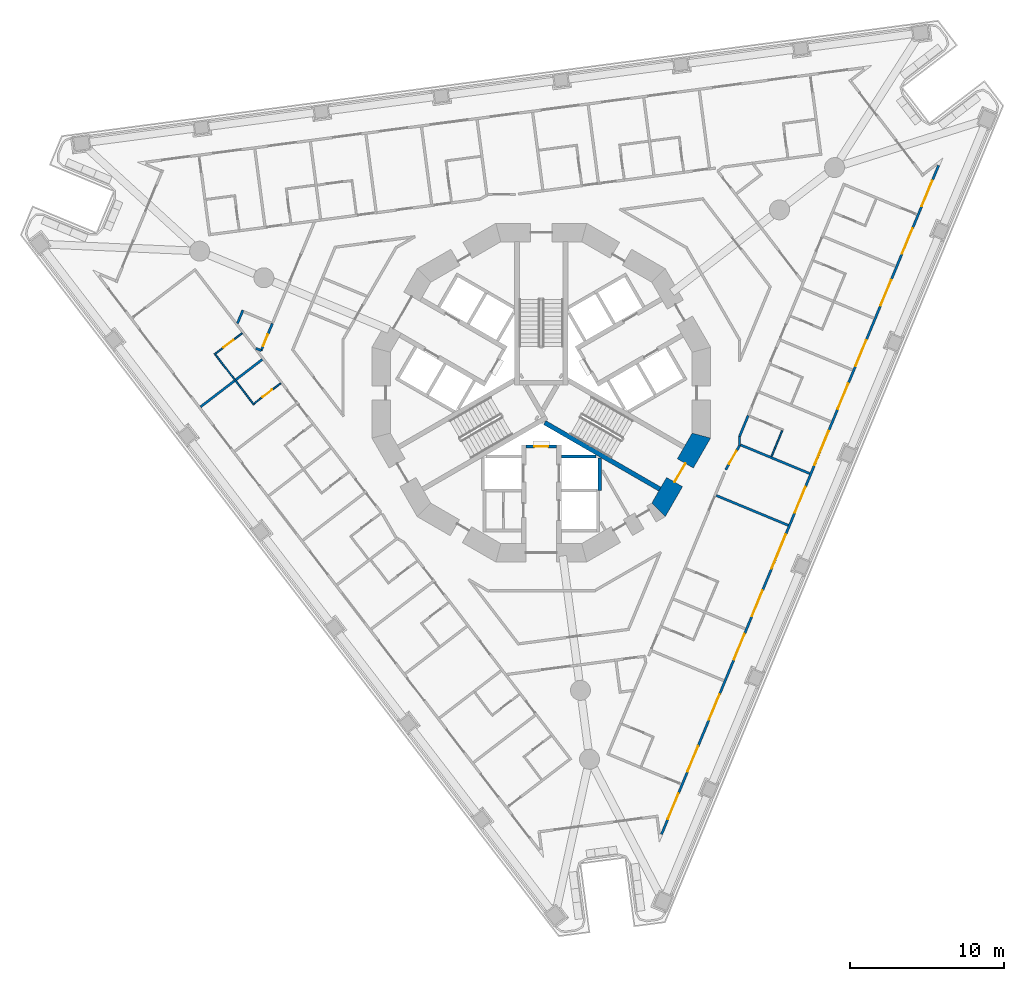
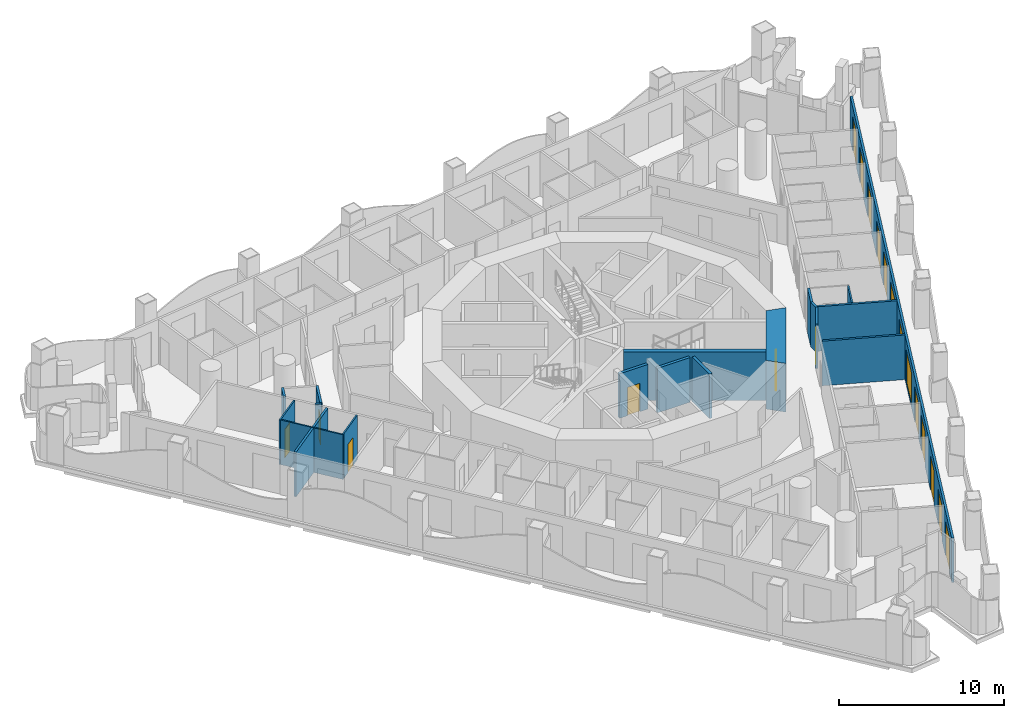
# One storey, part 5 of 19: 20 walls, 17 doors, 2 windows, 19 openings.
"""IFC4 building model written with IfcOpenShell, lengths in metres."""

from ifc_helpers import new_model, si_unit, direction, frame, frame_2d, origin, place, context, subcontext, project, spatial, polyline, rectangle, outline, extrude, material, layer, layer_set, type_object, element, fill, save


model = new_model("IFC4")

# Units and contexts
model_context = context("Model", 3, precision=1e-05, world=origin(), true_north=direction((0.0, 1.0)))
body_context = subcontext(model_context, "Body", "Model", "MODEL_VIEW")
ifc_project = project(units=[si_unit("LENGTHUNIT", "METRE"), si_unit("AREAUNIT", "SQUARE_METRE"), si_unit("VOLUMEUNIT", "CUBIC_METRE"), si_unit("PLANEANGLEUNIT", "RADIAN"), si_unit("MASSUNIT", "GRAM", prefix="KILO")], contexts=[model_context])

# Site, building, storey
site_placement = place(None, origin())
site = spatial("IfcSite", under=ifc_project, at=site_placement, CompositionType="ELEMENT")
building_placement = place(site_placement, origin())
building = spatial("IfcBuilding", under=site, at=building_placement, Name="Trine Commons Tower", CompositionType="ELEMENT")
storey_placement = place(building_placement, frame((0.0, 0.0, 57.60009765625)))
storey = spatial("IfcBuildingStorey", under=building, at=storey_placement, Name="L13", CompositionType="ELEMENT", Elevation=57.60009765625)

# Wall, openings, windows, doors
ifc_material_1 = material(Name="Aluminium-framed insulated wall panel", Category="aluminium")
ifc_layer_1 = layer(ifc_material_1, 0.14990234375)
ifc_layer_set_1 = layer_set([ifc_layer_1], Name="Aluminium-framed insulated wall panel")
wall_type_1 = type_object("IfcWallType", Name="Glazed frame wall 150, EI 60", PredefinedType="SOLIDWALL", material=ifc_layer_set_1)
wall_1_placement = place(storey_placement, frame((105.888671875, 77.410888671875, 0.0), z_axis=(0.0, 0.0, 1.0), x_axis=(-0.38268395344, -0.923879316675, 0.0)))
wall_1 = element("IfcWall", 1, at=wall_1_placement, inside=storey, type_object=wall_type_1, Name="Glazed frame wall F2", PredefinedType="SOLIDWALL", context=body_context, shape_type="SweptSolid", body=[
    extrude(outline(polyline([(0.1494140625, 0.074951171875), (0.1494140625, -0.074951171875), (47.216796875, -0.074951171875), (47.216796875, 0.074951171875), (0.1494140625, 0.074951171875)])), origin(), (0.0, 0.0, 1.0), 3.2998046875),
])
opening_1_placement = place(wall_1_placement, frame((1.2216796875, 0.0, 0.0)))
opening_1 = element("IfcOpeningElement", 2, at=opening_1_placement, cuts=wall_1, Name="Opening BD-2F2-01", PredefinedType="OPENING", context=body_context, shape_type="SweptSolid", body=[
    extrude(rectangle(XDim=1.800048828125, YDim=2.60009765625, at=frame_2d((0.89990234375, 1.300048828125))), frame((0.0, 0.0849609375, 0.0), z_axis=(0.0, -1.0, 0.0), x_axis=(1.0, 0.0, 0.0)), (0.0, 0.0, 1.0), 0.169921875),
])
opening_2_placement = place(wall_1_placement, frame((4.5654296875, 0.0, 0.0)))
opening_2 = element("IfcOpeningElement", 3, at=opening_2_placement, cuts=wall_1, Name="Opening BD-2F2-02", PredefinedType="OPENING", context=body_context, shape_type="SweptSolid", body=[
    extrude(rectangle(XDim=1.800048828125, YDim=2.60009765625, at=frame_2d((0.89990234375, 1.300048828125))), frame((0.0, 0.0849609375, 0.0), z_axis=(0.0, -1.0, 0.0), x_axis=(1.0, 0.0, 0.0)), (0.0, 0.0, 1.0), 0.169921875),
])
opening_3_placement = place(wall_1_placement, frame((8.208984375, 0.0, 0.0)))
opening_3 = element("IfcOpeningElement", 4, at=opening_3_placement, cuts=wall_1, Name="Opening BD-2F2-03", PredefinedType="OPENING", context=body_context, shape_type="SweptSolid", body=[
    extrude(rectangle(XDim=1.800048828125, YDim=2.60009765625, at=frame_2d((0.89990234375, 1.300048828125))), frame((0.0, 0.0849609375, 0.0), z_axis=(0.0, -1.0, 0.0), x_axis=(1.0, 0.0, 0.0)), (0.0, 0.0, 1.0), 0.169921875),
])
opening_4_placement = place(wall_1_placement, frame((12.45263671875, 0.0, 0.0)))
opening_4 = element("IfcOpeningElement", 5, at=opening_4_placement, cuts=wall_1, Name="Opening BD-2F2-04", PredefinedType="OPENING", context=body_context, shape_type="SweptSolid", body=[
    extrude(rectangle(XDim=1.800048828125, YDim=2.60009765625, at=frame_2d((0.89990234375, 1.300048828125))), frame((0.0, 0.0849609375, 0.0), z_axis=(0.0, -1.0, 0.0), x_axis=(1.0, 0.0, 0.0)), (0.0, 0.0, 1.0), 0.169921875),
])
opening_5_placement = place(wall_1_placement, frame((15.49609375, 0.0, 0.0)))
opening_5 = element("IfcOpeningElement", 6, at=opening_5_placement, cuts=wall_1, Name="Opening BD-2F2-05", PredefinedType="OPENING", context=body_context, shape_type="SweptSolid", body=[
    extrude(rectangle(XDim=1.800048828125, YDim=2.60009765625, at=frame_2d((0.89990234375, 1.300048828125))), frame((0.0, 0.0849609375, 0.0), z_axis=(0.0, -1.0, 0.0), x_axis=(1.0, 0.0, 0.0)), (0.0, 0.0, 1.0), 0.169921875),
])
opening_6_placement = place(wall_1_placement, frame((18.83984375, 0.0, 0.14990234375)))
opening_6 = element("IfcOpeningElement", 7, at=opening_6_placement, cuts=wall_1, Name="Opening W-2F2-06", PredefinedType="OPENING", context=body_context, shape_type="SweptSolid", body=[
    extrude(rectangle(XDim=2.39990234375, YDim=2.449951171875, at=frame_2d((1.199951171875, 1.22509765625))), frame((0.0, 0.0849609375, 0.0), z_axis=(0.0, -1.0, 0.0), x_axis=(1.0, 0.0, 0.0)), (0.0, 0.0, 1.0), 0.169921875),
])
opening_7_placement = place(wall_1_placement, frame((22.783447265625, 0.0, 0.0)))
opening_7 = element("IfcOpeningElement", 8, at=opening_7_placement, cuts=wall_1, Name="Opening BD-2F2-07", PredefinedType="OPENING", context=body_context, shape_type="SweptSolid", body=[
    extrude(rectangle(XDim=1.800048828125, YDim=2.60009765625, at=frame_2d((0.89990234375, 1.300048828125))), frame((0.0, 0.0849609375, 0.0), z_axis=(0.0, -1.0, 0.0), x_axis=(1.0, 0.0, 0.0)), (0.0, 0.0, 1.0), 0.169921875),
])
opening_8_placement = place(wall_1_placement, frame((26.126953125, 0.0, 0.14990234375)))
opening_8 = element("IfcOpeningElement", 9, at=opening_8_placement, cuts=wall_1, Name="Opening W-2F2-08", PredefinedType="OPENING", context=body_context, shape_type="SweptSolid", body=[
    extrude(rectangle(XDim=2.39990234375, YDim=2.449951171875, at=frame_2d((1.199951171875, 1.22509765625))), frame((0.0, 0.0849609375, 0.0), z_axis=(0.0, -1.0, 0.0), x_axis=(1.0, 0.0, 0.0)), (0.0, 0.0, 1.0), 0.169921875),
])
opening_9_placement = place(wall_1_placement, frame((30.070556640625, 0.0, 0.0)))
opening_9 = element("IfcOpeningElement", 10, at=opening_9_placement, cuts=wall_1, Name="Opening BD-2F2-09", PredefinedType="OPENING", context=body_context, shape_type="SweptSolid", body=[
    extrude(rectangle(XDim=1.800048828125, YDim=2.60009765625, at=frame_2d((0.89990234375, 1.300048828125))), frame((0.0, 0.0849609375, 0.0), z_axis=(0.0, -1.0, 0.0), x_axis=(1.0, 0.0, 0.0)), (0.0, 0.0, 1.0), 0.169921875),
])
opening_10_placement = place(wall_1_placement, frame((33.1142578125, 0.0, 0.0)))
opening_10 = element("IfcOpeningElement", 11, at=opening_10_placement, cuts=wall_1, Name="Opening BD-2F2-10", PredefinedType="OPENING", context=body_context, shape_type="SweptSolid", body=[
    extrude(rectangle(XDim=1.800048828125, YDim=2.60009765625, at=frame_2d((0.89990234375, 1.300048828125))), frame((0.0, 0.0849609375, 0.0), z_axis=(0.0, -1.0, 0.0), x_axis=(1.0, 0.0, 0.0)), (0.0, 0.0, 1.0), 0.169921875),
])
opening_11_placement = place(wall_1_placement, frame((37.35791015625, 0.0, 0.0)))
opening_11 = element("IfcOpeningElement", 12, at=opening_11_placement, cuts=wall_1, Name="Opening BD-2F2-11", PredefinedType="OPENING", context=body_context, shape_type="SweptSolid", body=[
    extrude(rectangle(XDim=1.800048828125, YDim=2.60009765625, at=frame_2d((0.89990234375, 1.300048828125))), frame((0.0, 0.0849609375, 0.0), z_axis=(0.0, -1.0, 0.0), x_axis=(1.0, 0.0, 0.0)), (0.0, 0.0, 1.0), 0.169921875),
])
opening_12_placement = place(wall_1_placement, frame((41.00146484375, 0.0, 0.0)))
opening_12 = element("IfcOpeningElement", 13, at=opening_12_placement, cuts=wall_1, Name="Opening BD-2F2-12", PredefinedType="OPENING", context=body_context, shape_type="SweptSolid", body=[
    extrude(rectangle(XDim=1.800048828125, YDim=2.60009765625, at=frame_2d((0.89990234375, 1.300048828125))), frame((0.0, 0.0849609375, 0.0), z_axis=(0.0, -1.0, 0.0), x_axis=(1.0, 0.0, 0.0)), (0.0, 0.0, 1.0), 0.169921875),
])
opening_13_placement = place(wall_1_placement, frame((44.344970703125, 0.0, 0.0)))
opening_13 = element("IfcOpeningElement", 14, at=opening_13_placement, cuts=wall_1, Name="Opening BD-2F2-13", PredefinedType="OPENING", context=body_context, shape_type="SweptSolid", body=[
    extrude(rectangle(XDim=1.800048828125, YDim=2.60009765625, at=frame_2d((0.89990234375, 1.300048828125))), frame((0.0, 0.0849609375, 0.0), z_axis=(0.0, -1.0, 0.0), x_axis=(1.0, 0.0, 0.0)), (0.0, 0.0, 1.0), 0.169921875),
])
ifc_material_2 = material(Name="Anodised aluminium frame with double glazing", Category="aluminium")
window_type = type_object("IfcWindowType", Name="Fixed window 2400x2450", PartitioningType="SINGLE_PANEL", PredefinedType="WINDOW", material=ifc_material_2)
window_1_placement = place(opening_6_placement, origin())
window_1 = element("IfcWindow", 15, at=window_1_placement, inside=storey, type_object=window_type, Name="Window F2 6", OverallHeight=2.449951171875, OverallWidth=2.39990234375, PartitioningType="SINGLE_PANEL", PredefinedType="WINDOW", context=body_context, shape_type="SweptSolid", body=[
    extrude(rectangle(XDim=2.39990234375, YDim=2.449951171875, at=frame_2d((1.199951171875, 1.22509765625))), frame((0.0, 0.030029296875, 0.0), z_axis=(0.0, -1.0, 0.0), x_axis=(1.0, 0.0, 0.0)), (0.0, 0.0, 1.0), 0.06005859375),
])
fill(opening_6, window_1)
window_2_placement = place(opening_8_placement, origin())
window_2 = element("IfcWindow", 16, at=window_2_placement, inside=storey, type_object=window_type, Name="Window F2 8", OverallHeight=2.449951171875, OverallWidth=2.39990234375, PartitioningType="SINGLE_PANEL", PredefinedType="WINDOW", context=body_context, shape_type="SweptSolid", body=[
    extrude(rectangle(XDim=2.39990234375, YDim=2.449951171875, at=frame_2d((1.199951171875, 1.22509765625))), frame((0.0, 0.030029296875, 0.0), z_axis=(0.0, -1.0, 0.0), x_axis=(1.0, 0.0, 0.0)), (0.0, 0.0, 1.0), 0.06005859375),
])
fill(opening_8, window_2)
door_type_1 = type_object("IfcDoorType", Name="Sliding loggia door 1800x2600", OperationType="SLIDING_TO_LEFT", PredefinedType="DOOR", material=ifc_material_2)
door_1_placement = place(opening_1_placement, origin())
door_1 = element("IfcDoor", 17, at=door_1_placement, inside=storey, type_object=door_type_1, Name="Loggia door F2 1", OperationType="SLIDING_TO_LEFT", OverallHeight=2.60009765625, OverallWidth=1.800048828125, PredefinedType="DOOR", context=body_context, shape_type="SweptSolid", body=[
    extrude(rectangle(XDim=1.800048828125, YDim=2.60009765625, at=frame_2d((0.89990234375, 1.300048828125))), frame((0.0, 0.02490234375, 0.0), z_axis=(0.0, -1.0, 0.0), x_axis=(1.0, 0.0, 0.0)), (0.0, 0.0, 1.0), 0.050048828125),
])
fill(opening_1, door_1)
door_2_placement = place(opening_2_placement, origin())
door_2 = element("IfcDoor", 18, at=door_2_placement, inside=storey, type_object=door_type_1, Name="Loggia door F2 2", OperationType="SLIDING_TO_LEFT", OverallHeight=2.60009765625, OverallWidth=1.800048828125, PredefinedType="DOOR", context=body_context, shape_type="SweptSolid", body=[
    extrude(rectangle(XDim=1.800048828125, YDim=2.60009765625, at=frame_2d((0.89990234375, 1.300048828125))), frame((0.0, 0.02490234375, 0.0), z_axis=(0.0, -1.0, 0.0), x_axis=(1.0, 0.0, 0.0)), (0.0, 0.0, 1.0), 0.050048828125),
])
fill(opening_2, door_2)
door_3_placement = place(opening_3_placement, origin())
door_3 = element("IfcDoor", 19, at=door_3_placement, inside=storey, type_object=door_type_1, Name="Loggia door F2 3", OperationType="SLIDING_TO_LEFT", OverallHeight=2.60009765625, OverallWidth=1.800048828125, PredefinedType="DOOR", context=body_context, shape_type="SweptSolid", body=[
    extrude(rectangle(XDim=1.800048828125, YDim=2.60009765625, at=frame_2d((0.89990234375, 1.300048828125))), frame((0.0, 0.02490234375, 0.0), z_axis=(0.0, -1.0, 0.0), x_axis=(1.0, 0.0, 0.0)), (0.0, 0.0, 1.0), 0.050048828125),
])
fill(opening_3, door_3)
door_4_placement = place(opening_4_placement, origin())
door_4 = element("IfcDoor", 20, at=door_4_placement, inside=storey, type_object=door_type_1, Name="Loggia door F2 4", OperationType="SLIDING_TO_LEFT", OverallHeight=2.60009765625, OverallWidth=1.800048828125, PredefinedType="DOOR", context=body_context, shape_type="SweptSolid", body=[
    extrude(rectangle(XDim=1.800048828125, YDim=2.60009765625, at=frame_2d((0.89990234375, 1.300048828125))), frame((0.0, 0.02490234375, 0.0), z_axis=(0.0, -1.0, 0.0), x_axis=(1.0, 0.0, 0.0)), (0.0, 0.0, 1.0), 0.050048828125),
])
fill(opening_4, door_4)
door_5_placement = place(opening_5_placement, origin())
door_5 = element("IfcDoor", 21, at=door_5_placement, inside=storey, type_object=door_type_1, Name="Loggia door F2 5", OperationType="SLIDING_TO_LEFT", OverallHeight=2.60009765625, OverallWidth=1.800048828125, PredefinedType="DOOR", context=body_context, shape_type="SweptSolid", body=[
    extrude(rectangle(XDim=1.800048828125, YDim=2.60009765625, at=frame_2d((0.89990234375, 1.300048828125))), frame((0.0, 0.02490234375, 0.0), z_axis=(0.0, -1.0, 0.0), x_axis=(1.0, 0.0, 0.0)), (0.0, 0.0, 1.0), 0.050048828125),
])
fill(opening_5, door_5)
door_6_placement = place(opening_7_placement, origin())
door_6 = element("IfcDoor", 22, at=door_6_placement, inside=storey, type_object=door_type_1, Name="Loggia door F2 7", OperationType="SLIDING_TO_LEFT", OverallHeight=2.60009765625, OverallWidth=1.800048828125, PredefinedType="DOOR", context=body_context, shape_type="SweptSolid", body=[
    extrude(rectangle(XDim=1.800048828125, YDim=2.60009765625, at=frame_2d((0.89990234375, 1.300048828125))), frame((0.0, 0.02490234375, 0.0), z_axis=(0.0, -1.0, 0.0), x_axis=(1.0, 0.0, 0.0)), (0.0, 0.0, 1.0), 0.050048828125),
])
fill(opening_7, door_6)
door_7_placement = place(opening_9_placement, origin())
door_7 = element("IfcDoor", 23, at=door_7_placement, inside=storey, type_object=door_type_1, Name="Loggia door F2 9", OperationType="SLIDING_TO_LEFT", OverallHeight=2.60009765625, OverallWidth=1.800048828125, PredefinedType="DOOR", context=body_context, shape_type="SweptSolid", body=[
    extrude(rectangle(XDim=1.800048828125, YDim=2.60009765625, at=frame_2d((0.89990234375, 1.300048828125))), frame((0.0, 0.02490234375, 0.0), z_axis=(0.0, -1.0, 0.0), x_axis=(1.0, 0.0, 0.0)), (0.0, 0.0, 1.0), 0.050048828125),
])
fill(opening_9, door_7)
door_8_placement = place(opening_10_placement, origin())
door_8 = element("IfcDoor", 24, at=door_8_placement, inside=storey, type_object=door_type_1, Name="Loggia door F2 10", OperationType="SLIDING_TO_LEFT", OverallHeight=2.60009765625, OverallWidth=1.800048828125, PredefinedType="DOOR", context=body_context, shape_type="SweptSolid", body=[
    extrude(rectangle(XDim=1.800048828125, YDim=2.60009765625, at=frame_2d((0.89990234375, 1.300048828125))), frame((0.0, 0.02490234375, 0.0), z_axis=(0.0, -1.0, 0.0), x_axis=(1.0, 0.0, 0.0)), (0.0, 0.0, 1.0), 0.050048828125),
])
fill(opening_10, door_8)
door_9_placement = place(opening_11_placement, origin())
door_9 = element("IfcDoor", 25, at=door_9_placement, inside=storey, type_object=door_type_1, Name="Loggia door F2 11", OperationType="SLIDING_TO_LEFT", OverallHeight=2.60009765625, OverallWidth=1.800048828125, PredefinedType="DOOR", context=body_context, shape_type="SweptSolid", body=[
    extrude(rectangle(XDim=1.800048828125, YDim=2.60009765625, at=frame_2d((0.89990234375, 1.300048828125))), frame((0.0, 0.02490234375, 0.0), z_axis=(0.0, -1.0, 0.0), x_axis=(1.0, 0.0, 0.0)), (0.0, 0.0, 1.0), 0.050048828125),
])
fill(opening_11, door_9)
door_10_placement = place(opening_12_placement, origin())
door_10 = element("IfcDoor", 26, at=door_10_placement, inside=storey, type_object=door_type_1, Name="Loggia door F2 12", OperationType="SLIDING_TO_LEFT", OverallHeight=2.60009765625, OverallWidth=1.800048828125, PredefinedType="DOOR", context=body_context, shape_type="SweptSolid", body=[
    extrude(rectangle(XDim=1.800048828125, YDim=2.60009765625, at=frame_2d((0.89990234375, 1.300048828125))), frame((0.0, 0.02490234375, 0.0), z_axis=(0.0, -1.0, 0.0), x_axis=(1.0, 0.0, 0.0)), (0.0, 0.0, 1.0), 0.050048828125),
])
fill(opening_12, door_10)
door_11_placement = place(opening_13_placement, origin())
door_11 = element("IfcDoor", 27, at=door_11_placement, inside=storey, type_object=door_type_1, Name="Loggia door F2 13", OperationType="SLIDING_TO_LEFT", OverallHeight=2.60009765625, OverallWidth=1.800048828125, PredefinedType="DOOR", context=body_context, shape_type="SweptSolid", body=[
    extrude(rectangle(XDim=1.800048828125, YDim=2.60009765625, at=frame_2d((0.89990234375, 1.300048828125))), frame((0.0, 0.02490234375, 0.0), z_axis=(0.0, -1.0, 0.0), x_axis=(1.0, 0.0, 0.0)), (0.0, 0.0, 1.0), 0.050048828125),
])
fill(opening_13, door_11)

# Wall, opening, door
ifc_material_3 = material(Name="Fire-rated gypsum shaft wall system")
ifc_layer_2 = layer(ifc_material_3, 0.199951171875)
ifc_layer_set_2 = layer_set([ifc_layer_2], Name="Fire-rated gypsum shaft wall system")
wall_type_2 = type_object("IfcWallType", Name="Lobby end wall 200 mm, EI 120", PredefinedType="PARTITIONING", material=ifc_layer_set_2)
wall_2_placement = place(storey_placement, frame((79.0, 59.0, 0.0), z_axis=(0.0, 0.0, 1.0), x_axis=(1.0, 0.0, 0.0)))
wall_2 = element("IfcWall", 28, at=wall_2_placement, inside=storey, type_object=wall_type_2, Name="Lobby end wall L13", PredefinedType="PARTITIONING", context=body_context, shape_type="SweptSolid", body=[
    extrude(rectangle(XDim=2.0, YDim=0.199951171875, at=frame_2d((1.0, 0.0))), origin(), (0.0, 0.0, 1.0), 3.2998046875),
])
opening_14_placement = place(wall_2_placement, frame((0.550048828125, 0.0, 0.0)))
opening_14 = element("IfcOpeningElement", 29, at=opening_14_placement, cuts=wall_2, Name="Opening K04.09", PredefinedType="OPENING", context=body_context, shape_type="SweptSolid", body=[
    extrude(rectangle(XDim=0.89990234375, YDim=2.10009765625, at=frame_2d((0.449951171875, 1.050048828125))), frame((0.0, 0.10986328125, 0.0), z_axis=(0.0, -1.0, 0.0), x_axis=(1.0, 0.0, 0.0)), (0.0, 0.0, 1.0), 0.219970703125),
])
ifc_material_4 = material(Name="Steel door leaf, fire-rated", Category="steel")
door_type_2 = type_object("IfcDoorType", Name="Riser access door, single leaf 900 x 2100, FD60", OperationType="SINGLE_SWING_LEFT", PredefinedType="DOOR", material=ifc_material_4)
door_12_placement = place(opening_14_placement, frame((0.89990234375, 0.0, 0.0), z_axis=(0.0, 0.0, 1.0), x_axis=(-1.0, 0.0, 0.0)))
door_12 = element("IfcDoor", 30, at=door_12_placement, inside=storey, type_object=door_type_2, Name="Riser door, Communications riser L13", OperationType="SINGLE_SWING_RIGHT", OverallHeight=2.10009765625, OverallWidth=0.89990234375, PredefinedType="DOOR", context=body_context, shape_type="SweptSolid", body=[
    extrude(rectangle(XDim=0.89990234375, YDim=2.10009765625, at=frame_2d((0.449951171875, 1.050048828125))), frame((0.0, 0.02490234375, 0.0), z_axis=(0.0, -1.0, 0.0), x_axis=(1.0, 0.0, 0.0)), (0.0, 0.0, 1.0), 0.050048828125),
])
fill(opening_14, door_12)

ifc_material_5 = material(Name="Concrete C80/95", Category="concrete")
ifc_layer_3 = layer(ifc_material_5, 1.199951171875)
ifc_layer_set_3 = layer_set([ifc_layer_3], Name="Concrete C80/95")
wall_type_3 = type_object("IfcWallType", Name="RC shear wall 1200 mm, C80/95", PredefinedType="SHEAR", material=ifc_layer_set_3)
wall_3_placement = place(storey_placement, frame((87.54150390625, 54.739013671875, 0.0), z_axis=(0.0, 0.0, 1.0), x_axis=(0.499979111662, 0.866037463336, 0.0)))
wall_3 = element("IfcWall", 31, at=wall_3_placement, inside=storey, type_object=wall_type_3, Name="Core wall CWB-12 L13", PredefinedType="SHEAR", context=body_context, shape_type="SweptSolid", body=[
    extrude(outline(polyline([(0.0, -0.60009765625), (5.901123046875, -0.60009765625), (5.57958984375, 0.60009765625), (0.321533203125, 0.60009765625), (0.0, -0.60009765625)])), origin(), (0.0, 0.0, 1.0), 3.599853515625),
])
opening_15_placement = place(wall_3_placement, frame((2.25048828125, 0.0, 0.0)))
opening_15 = element("IfcOpeningElement", 32, at=opening_15_placement, cuts=wall_3, Name="Opening K04.03", PredefinedType="OPENING", context=body_context, shape_type="SweptSolid", body=[
    extrude(rectangle(XDim=1.39990234375, YDim=2.10009765625, at=frame_2d((0.699951171875, 1.050048828125))), frame((0.0, 0.60986328125, 0.0), z_axis=(0.0, -1.0, 0.0), x_axis=(1.0, 0.0, 0.0)), (0.0, 0.0, 1.0), 1.219970703125),
])
ifc_material_6 = material(Name="Steel door leaves, fire-rated", Category="steel")
door_type_3 = type_object("IfcDoorType", Name="Stair door, double leaf 1400 x 2100, FD90", OperationType="DOUBLE_DOOR_SINGLE_SWING", PredefinedType="DOOR", material=ifc_material_6)
door_13_placement = place(opening_15_placement, origin())
door_13 = element("IfcDoor", 33, at=door_13_placement, inside=storey, type_object=door_type_3, Name="Stair door to Exit stair ST3A L13", OperationType="DOUBLE_DOOR_SINGLE_SWING", OverallHeight=2.10009765625, OverallWidth=1.39990234375, PredefinedType="DOOR", context=body_context, shape_type="SweptSolid", body=[
    extrude(rectangle(XDim=1.39990234375, YDim=2.10009765625, at=frame_2d((0.699951171875, 1.050048828125))), frame((0.0, 0.02490234375, 0.0), z_axis=(0.0, -1.0, 0.0), x_axis=(1.0, 0.0, 0.0)), (0.0, 0.0, 1.0), 0.050048828125),
])
fill(opening_15, door_13)

# Walls
ifc_layer_4 = layer(ifc_material_5, 0.300048828125)
ifc_layer_set_4 = layer_set([ifc_layer_4], Name="Concrete C80/95")
wall_type_4 = type_object("IfcWallType", Name="RC shear wall 300 mm, C80/95", PredefinedType="SHEAR", material=ifc_layer_set_4)
wall_4_placement = place(storey_placement, frame((80.22509765625, 60.552001953125, 0.0), z_axis=(0.0, 0.0, 1.0), x_axis=(0.865965399159, -0.500103916661, 0.0)))
element("IfcWall", 34, at=wall_4_placement, inside=storey, type_object=wall_type_4, Name="Core cross wall SWA-13 L13", PredefinedType="SHEAR", context=body_context, shape_type="SweptSolid", body=[
    extrude(rectangle(XDim=8.642333984375, YDim=0.300048828125, at=frame_2d((4.3212890625, 0.0))), origin(), (0.0, 0.0, 1.0), 3.599853515625),
])
ifc_layer_5 = layer(ifc_material_3, 0.199951171875)
ifc_layer_set_5 = layer_set([ifc_layer_5], Name="Fire-rated gypsum shaft wall system")
wall_type_5 = type_object("IfcWallType", Name="Shaft wall 200 mm, EI 120", PredefinedType="PARTITIONING", material=ifc_layer_set_5)
wall_5_placement = place(storey_placement, frame((81.300048828125, 58.35009765625, 0.0), z_axis=(0.0, 0.0, 1.0), x_axis=(1.0, 0.0, 0.0)))
element("IfcWall", 35, at=wall_5_placement, inside=storey, type_object=wall_type_5, Name="Shaft wall L13", PredefinedType="PARTITIONING", context=body_context, shape_type="SweptSolid", body=[
    extrude(rectangle(XDim=2.264892578125, YDim=0.199951171875, at=frame_2d((1.13232421875, 0.0))), origin(), (0.0, 0.0, 1.0), 3.2998046875),
])
wall_6_placement = place(storey_placement, frame((83.800048828125, 58.256103515625, 0.0), z_axis=(0.0, 0.0, 1.0), x_axis=(0.0, -1.0, 0.0)))
element("IfcWall", 36, at=wall_6_placement, inside=storey, type_object=wall_type_5, Name="Shaft wall L13", PredefinedType="PARTITIONING", context=body_context, shape_type="SweptSolid", body=[
    extrude(rectangle(XDim=2.106201171875, YDim=0.199951171875, at=frame_2d((1.05322265625, 0.0))), origin(), (0.0, 0.0, 1.0), 3.2998046875),
])
ifc_material_7 = material(Name="Gypsum plasterboard on steel stud", Category="steel")
ifc_layer_6 = layer(ifc_material_7, 0.14990234375)
ifc_layer_set_6 = layer_set([ifc_layer_6], Name="Gypsum plasterboard on steel stud")
wall_type_6 = type_object("IfcWallType", Name="Unit and corridor wall 150 mm, EI 60", PredefinedType="PARTITIONING", material=ifc_layer_set_6)
wall_7_placement = place(storey_placement, frame((57.84765625, 61.576416015625, 0.0), z_axis=(0.0, 0.0, 1.0), x_axis=(0.793280814045, 0.608855935397, 0.0)))
element("IfcWall", 37, at=wall_7_placement, inside=storey, type_object=wall_type_6, Name="Partition 004", PredefinedType="PARTITIONING", context=body_context, shape_type="SweptSolid", body=[
    extrude(rectangle(XDim=2.789306640625, YDim=0.14990234375, at=frame_2d((1.39453125, 0.0))), origin(), (0.0, 0.0, 1.0), 3.2998046875),
])
wall_8_placement = place(storey_placement, frame((60.1396484375, 63.33544921875, 0.0), z_axis=(0.0, 0.0, 1.0), x_axis=(0.79342025342, 0.608674216197, 0.0)))
element("IfcWall", 38, at=wall_8_placement, inside=storey, type_object=wall_type_6, Name="Partition 012", PredefinedType="PARTITIONING", context=body_context, shape_type="SweptSolid", body=[
    extrude(rectangle(XDim=2.17529296875, YDim=0.14990234375, at=frame_2d((1.087646484375, 0.0))), origin(), (0.0, 0.0, 1.0), 3.2998046875),
])
wall_9_placement = place(storey_placement, frame((60.24560546875, 67.000244140625, 0.0), z_axis=(0.0, 0.0, 1.0), x_axis=(0.383080061035, 0.923715143774, 0.0)))
element("IfcWall", 39, at=wall_9_placement, inside=storey, type_object=wall_type_6, Name="Partition 013", PredefinedType="PARTITIONING", context=body_context, shape_type="SweptSolid", body=[
    extrude(rectangle(XDim=0.9375, YDim=0.14990234375, at=frame_2d((0.46875, 0.0))), origin(), (0.0, 0.0, 1.0), 3.2998046875),
])
wall_10_placement = place(storey_placement, frame((61.43896484375, 65.38330078125, 0.0), z_axis=(0.0, 0.0, 1.0), x_axis=(0.923599819829, -0.383358021714, 0.0)))
element("IfcWall", 40, at=wall_10_placement, inside=storey, type_object=wall_type_6, Name="Partition 018", PredefinedType="PARTITIONING", context=body_context, shape_type="SweptSolid", body=[
    extrude(rectangle(XDim=0.39990234375, YDim=0.14990234375, at=frame_2d((0.199951171875, 0.0))), origin(), (0.0, 0.0, 1.0), 3.2998046875),
])

# Wall, opening, door
wall_11_placement = place(storey_placement, frame((61.787109375, 65.23388671875, 0.0), z_axis=(0.0, 0.0, 1.0), x_axis=(0.38314285934, 0.923689097769, 0.0)))
wall_11 = element("IfcWall", 41, at=wall_11_placement, inside=storey, type_object=wall_type_6, Name="Partition 019", PredefinedType="PARTITIONING", context=body_context, shape_type="SweptSolid", body=[
    extrude(rectangle(XDim=1.90771484375, YDim=0.14990234375, at=frame_2d((0.953857421875, 0.0))), origin(), (0.0, 0.0, 1.0), 3.2998046875),
])
opening_16_placement = place(wall_11_placement, frame((0.328125, 0.0, 0.0)))
opening_16 = element("IfcOpeningElement", 42, at=opening_16_placement, cuts=wall_11, Name="Opening D-2A06", PredefinedType="OPENING", context=body_context, shape_type="SweptSolid", body=[
    extrude(rectangle(XDim=0.800048828125, YDim=2.10009765625, at=frame_2d((0.39990234375, 1.050048828125))), frame((0.0, 0.0849609375, 0.0), z_axis=(0.0, -1.0, 0.0), x_axis=(1.0, 0.0, 0.0)), (0.0, 0.0, 1.0), 0.169921875),
])
ifc_material_8 = material(Name="Painted timber", Category="wood")
door_type_4 = type_object("IfcDoorType", Name="Toilet door 800 x 2100, NOT RATED", OperationType="NOTDEFINED", PredefinedType="DOOR", material=ifc_material_8)
door_14_placement = place(opening_16_placement, origin())
door_14 = element("IfcDoor", 43, at=door_14_placement, inside=storey, type_object=door_type_4, Name="Door D-2A06", OperationType="SINGLE_SWING_LEFT", OverallHeight=2.10009765625, OverallWidth=0.800048828125, PredefinedType="DOOR", context=body_context, shape_type="SweptSolid", body=[
    extrude(rectangle(XDim=0.800048828125, YDim=2.10009765625, at=frame_2d((0.39990234375, 1.050048828125))), frame((0.0, 0.02490234375, 0.0), z_axis=(0.0, -1.0, 0.0), x_axis=(1.0, 0.0, 0.0)), (0.0, 0.0, 1.0), 0.050048828125),
])
fill(opening_16, door_14)

# Wall
wall_12_placement = place(storey_placement, frame((91.38037109375, 55.814208984375, 0.0), z_axis=(0.0, 0.0, 1.0), x_axis=(0.923879340067, -0.382683896966, 0.0)))
element("IfcWall", 44, at=wall_12_placement, inside=storey, type_object=wall_type_6, Name="Partition 128", PredefinedType="PARTITIONING", context=body_context, shape_type="SweptSolid", body=[
    extrude(rectangle(XDim=5.064208984375, YDim=0.14990234375, at=frame_2d((2.5322265625, 0.0))), origin(), (0.0, 0.0, 1.0), 3.2998046875),
])

# Wall, opening, door
wall_13_placement = place(storey_placement, frame((91.988037109375, 57.490966796875, 0.0), z_axis=(0.0, 0.0, 1.0), x_axis=(0.500200642588, 0.865909531738, 0.0)))
wall_13 = element("IfcWall", 45, at=wall_13_placement, inside=storey, type_object=wall_type_6, Name="Partition 132", PredefinedType="PARTITIONING", context=body_context, shape_type="SweptSolid", body=[
    extrude(rectangle(XDim=1.797119140625, YDim=0.14990234375, at=frame_2d((0.8984375, 0.0))), origin(), (0.0, 0.0, 1.0), 3.2998046875),
])
opening_17_placement = place(wall_13_placement, frame((0.418701171875, 0.0, 0.0)))
opening_17 = element("IfcOpeningElement", 46, at=opening_17_placement, cuts=wall_13, Name="Opening D-2A22", PredefinedType="OPENING", context=body_context, shape_type="SweptSolid", body=[
    extrude(rectangle(XDim=1.0, YDim=2.10009765625, at=frame_2d((0.5, 1.050048828125))), frame((0.0, 0.0849609375, 0.0), z_axis=(0.0, -1.0, 0.0), x_axis=(1.0, 0.0, 0.0)), (0.0, 0.0, 1.0), 0.169921875),
])
door_type_5 = type_object("IfcDoorType", Name="Toilet door 1000 x 2100, NOT RATED", OperationType="NOTDEFINED", PredefinedType="DOOR", material=ifc_material_8)
door_15_placement = place(opening_17_placement, frame((1.0, 0.0, 0.0), z_axis=(0.0, 0.0, 1.0), x_axis=(-1.0, 0.0, 0.0)))
door_15 = element("IfcDoor", 47, at=door_15_placement, inside=storey, type_object=door_type_5, Name="Door D-2A22", OperationType="SINGLE_SWING_LEFT", OverallHeight=2.10009765625, OverallWidth=1.0, PredefinedType="DOOR", context=body_context, shape_type="SweptSolid", body=[
    extrude(rectangle(XDim=1.0, YDim=2.10009765625, at=frame_2d((0.5, 1.050048828125))), frame((0.0, 0.02490234375, 0.0), z_axis=(0.0, -1.0, 0.0), x_axis=(1.0, 0.0, 0.0)), (0.0, 0.0, 1.0), 0.050048828125),
])
fill(opening_17, door_15)

# Walls
wall_14_placement = place(storey_placement, frame((92.886962890625, 59.053955078125, 0.0), z_axis=(0.0, 0.0, 1.0), x_axis=(0.0, 1.0, 0.0)))
element("IfcWall", 48, at=wall_14_placement, inside=storey, type_object=wall_type_6, Name="Partition 134", PredefinedType="PARTITIONING", context=body_context, shape_type="SweptSolid", body=[
    extrude(rectangle(XDim=0.60400390625, YDim=0.14990234375, at=frame_2d((0.302001953125, 0.0))), origin(), (0.0, 0.0, 1.0), 3.2998046875),
])
wall_15_placement = place(storey_placement, frame((92.956298828125, 59.105224609375, 0.0), z_axis=(0.0, 0.0, 1.0), x_axis=(0.923843801062, -0.382769684325, 0.0)))
element("IfcWall", 49, at=wall_15_placement, inside=storey, type_object=wall_type_6, Name="Partition 135", PredefinedType="PARTITIONING", context=body_context, shape_type="SweptSolid", body=[
    extrude(rectangle(XDim=4.8671875, YDim=0.14990234375, at=frame_2d((2.43359375, 0.0))), origin(), (0.0, 0.0, 1.0), 3.2998046875),
])
wall_16_placement = place(storey_placement, frame((92.886962890625, 59.64599609375, 0.0), z_axis=(0.0, 0.0, 1.0), x_axis=(0.382283814647, 0.924044958354, 0.0)))
element("IfcWall", 50, at=wall_16_placement, inside=storey, type_object=wall_type_6, Name="Partition 136", PredefinedType="PARTITIONING", context=body_context, shape_type="SweptSolid", body=[
    extrude(rectangle(XDim=1.48046875, YDim=0.14990234375, at=frame_2d((0.740234375, 0.0))), origin(), (0.0, 0.0, 1.0), 3.2998046875),
])

# Wall, opening, door
ifc_layer_7 = layer(ifc_material_7, 0.10009765625)
ifc_layer_set_7 = layer_set([ifc_layer_7], Name="Gypsum plasterboard on steel stud")
wall_type_7 = type_object("IfcWallType", Name="Unit partition 100 mm, no rating", PredefinedType="PARTITIONING", material=ifc_layer_set_7)
wall_17_placement = place(storey_placement, frame((58.751220703125, 64.980712890625, 0.0), z_axis=(0.0, 0.0, 1.0), x_axis=(0.793437070432, 0.608652294224, 0.0)))
wall_17 = element("IfcWall", 51, at=wall_17_placement, inside=storey, type_object=wall_type_7, Name="Partition 008", PredefinedType="PARTITIONING", context=body_context, shape_type="SweptSolid", body=[
    extrude(rectangle(XDim=2.275146484375, YDim=0.10009765625, at=frame_2d((1.1376953125, 0.0))), origin(), (0.0, 0.0, 1.0), 3.2998046875),
])
opening_18_placement = place(wall_17_placement, frame((0.762451171875, 0.0, 0.0)))
opening_18 = element("IfcOpeningElement", 52, at=opening_18_placement, cuts=wall_17, Name="Opening D-2A65", PredefinedType="OPENING", context=body_context, shape_type="SweptSolid", body=[
    extrude(rectangle(XDim=0.800048828125, YDim=2.10009765625, at=frame_2d((0.39990234375, 1.050048828125))), frame((0.0, 0.06005859375, 0.0), z_axis=(0.0, -1.0, 0.0), x_axis=(1.0, 0.0, 0.0)), (0.0, 0.0, 1.0), 0.1201171875),
])
door_type_6 = type_object("IfcDoorType", Name="Internal door 800 x 2100, NOT RATED", OperationType="NOTDEFINED", PredefinedType="DOOR", material=ifc_material_8)
door_16_placement = place(opening_18_placement, origin())
door_16 = element("IfcDoor", 53, at=door_16_placement, inside=storey, type_object=door_type_6, Name="Door D-2A65", OperationType="SINGLE_SWING_RIGHT", OverallHeight=2.10009765625, OverallWidth=0.800048828125, PredefinedType="DOOR", context=body_context, shape_type="SweptSolid", body=[
    extrude(rectangle(XDim=0.800048828125, YDim=2.10009765625, at=frame_2d((0.39990234375, 1.050048828125))), frame((0.0, 0.02490234375, 0.0), z_axis=(0.0, -1.0, 0.0), x_axis=(1.0, 0.0, 0.0)), (0.0, 0.0, 1.0), 0.050048828125),
])
fill(opening_18, door_16)

# Wall
wall_18_placement = place(storey_placement, frame((58.8212890625, 64.97119140625, 0.0), z_axis=(0.0, 0.0, 1.0), x_axis=(0.608766496324, -0.793349451978, 0.0)))
element("IfcWall", 54, at=wall_18_placement, inside=storey, type_object=wall_type_7, Name="Partition 009", PredefinedType="PARTITIONING", context=body_context, shape_type="SweptSolid", body=[
    extrude(rectangle(XDim=4.100341796875, YDim=0.10009765625, at=frame_2d((2.05029296875, 0.0))), origin(), (0.0, 0.0, 1.0), 3.2998046875),
])

# Wall, opening, door
wall_19_placement = place(storey_placement, frame((61.32666015625, 61.788330078125, 0.0), z_axis=(0.0, 0.0, 1.0), x_axis=(0.79342025342, 0.608674216197, 0.0)))
wall_19 = element("IfcWall", 55, at=wall_19_placement, inside=storey, type_object=wall_type_7, Name="Partition 016", PredefinedType="PARTITIONING", context=body_context, shape_type="SweptSolid", body=[
    extrude(rectangle(XDim=2.17529296875, YDim=0.10009765625, at=frame_2d((1.087646484375, 0.0))), origin(), (0.0, 0.0, 1.0), 3.2998046875),
])
opening_19_placement = place(wall_19_placement, frame((0.6875, 0.0, 0.0)))
opening_19 = element("IfcOpeningElement", 56, at=opening_19_placement, cuts=wall_19, Name="Opening D-2A64", PredefinedType="OPENING", context=body_context, shape_type="SweptSolid", body=[
    extrude(rectangle(XDim=0.800048828125, YDim=2.10009765625, at=frame_2d((0.39990234375, 1.050048828125))), frame((0.0, 0.06005859375, 0.0), z_axis=(0.0, -1.0, 0.0), x_axis=(1.0, 0.0, 0.0)), (0.0, 0.0, 1.0), 0.1201171875),
])
door_17_placement = place(opening_19_placement, frame((0.800048828125, 0.0, 0.0), z_axis=(0.0, 0.0, 1.0), x_axis=(-1.0, 0.0, 0.0)))
door_17 = element("IfcDoor", 57, at=door_17_placement, inside=storey, type_object=door_type_6, Name="Door D-2A64", OperationType="SINGLE_SWING_LEFT", OverallHeight=2.10009765625, OverallWidth=0.800048828125, PredefinedType="DOOR", context=body_context, shape_type="SweptSolid", body=[
    extrude(rectangle(XDim=0.800048828125, YDim=2.10009765625, at=frame_2d((0.39990234375, 1.050048828125))), frame((0.0, 0.02490234375, 0.0), z_axis=(0.0, -1.0, 0.0), x_axis=(1.0, 0.0, 0.0)), (0.0, 0.0, 1.0), 0.050048828125),
])
fill(opening_19, door_17)

# Wall
wall_20_placement = place(storey_placement, frame((94.9677734375, 58.353271484375, 0.0), z_axis=(0.0, 0.0, 1.0), x_axis=(0.382714221705, 0.923866778548, 0.0)))
element("IfcWall", 58, at=wall_20_placement, inside=storey, type_object=wall_type_7, Name="Partition 148", PredefinedType="PARTITIONING", context=body_context, shape_type="SweptSolid", body=[
    extrude(rectangle(XDim=1.824462890625, YDim=0.10009765625, at=frame_2d((0.912109375, 0.0))), origin(), (0.0, 0.0, 1.0), 3.2998046875),
])

save(model, "model.ifc")
